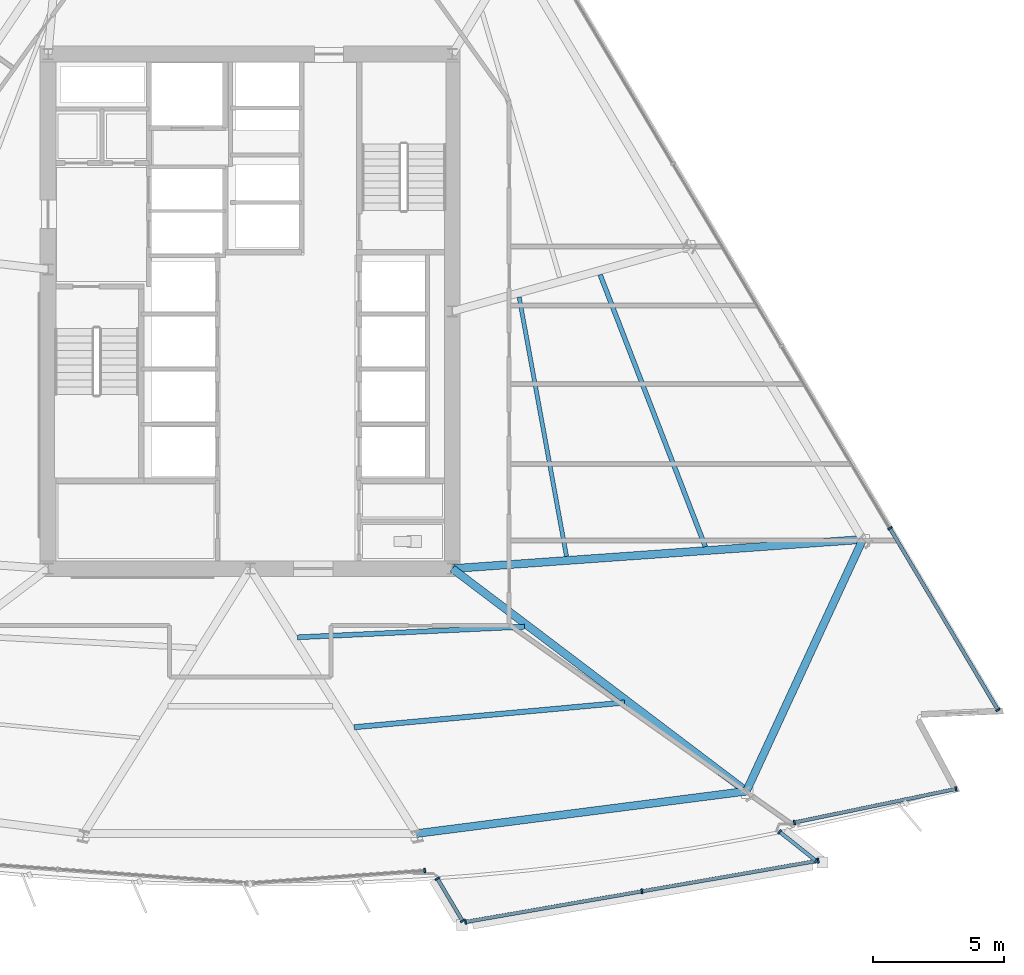
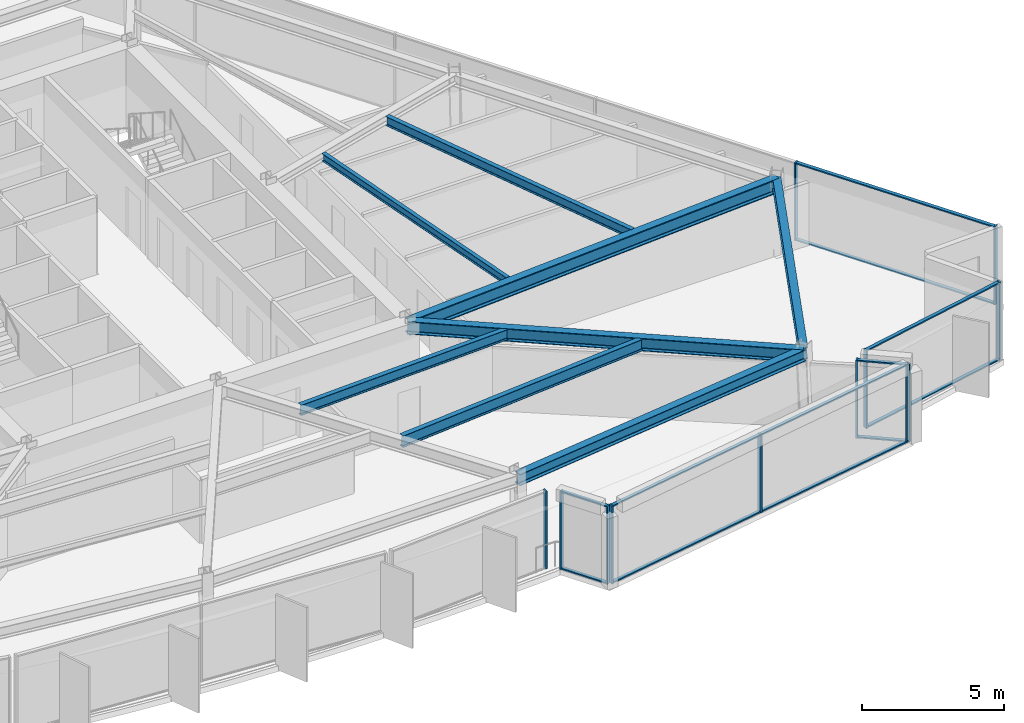
# One storey, part 4 of 15: 24 members, 8 beams, 6 elements without a shape of their own.
"""IFC4 building model written with IfcOpenShell, lengths in metres."""

import ifcopenshell
import ifcopenshell.guid

model = None  # the IFC model being written
_history = None  # IfcOwnerHistory: only IFC2X3 demands one
_inside = {}  # id of a spatial element -> (the spatial element, [elements in it])
_under = {}  # id of a project, library or spatial element -> (it, [spatial elements below it])
_declared = {}  # id of a project -> (the project, [libraries it declares])
_typed = {}  # id of a type object -> (the type object, [elements of that type])
_made_of = {}  # id of a material, layer set ... -> (it, [elements and type objects made of it])


def new_model(schema):
    """Start an empty IFC model of exactly this schema.

    Asked for "IFC4X3", IfcOpenShell would pick the latest addendum, in which some entities
    have other attributes; the version numbers below select the first issue.
    IFC2X3 requires an IfcOwnerHistory on every rooted entity: one is made here for all.
    """
    global model, _history
    if schema == "IFC4X3":
        model = ifcopenshell.file(schema_version=(4, 3, 0, 0))
    else:
        model = ifcopenshell.file(schema=schema)
    _inside.clear()
    _under.clear()
    _declared.clear()
    _typed.clear()
    _made_of.clear()
    _history = None
    if model.schema == "IFC2X3":
        org = make("IfcOrganization", Name="unknown")
        user = make(
            "IfcPersonAndOrganization",
            ThePerson=make("IfcPerson", FamilyName="unknown"),
            TheOrganization=org,
        )
        app = make(
            "IfcApplication",
            ApplicationDeveloper=org,
            Version="unknown",
            ApplicationFullName="unknown",
            ApplicationIdentifier="unknown",
        )
        _history = make(
            "IfcOwnerHistory",
            OwningUser=user,
            OwningApplication=app,
            ChangeAction="ADDED",
            CreationDate=0,
        )
    return model


def make(cls, **values):
    """One entity of the class cls with the attributes given. An attribute that is None is left unset."""
    return model.create_entity(
        cls, **{name: value for name, value in values.items() if value is not None}
    )


def rooted(cls, **values):
    """An entity with a GlobalId (a new one), such as an element, a storey or a relation."""
    return make(cls, GlobalId=ifcopenshell.guid.new(), OwnerHistory=_history, **values)


def si_unit(unit_type, name, prefix=None):
    """IfcSIUnit, for example si_unit("LENGTHUNIT", "METRE", prefix="MILLI")."""
    return make("IfcSIUnit", UnitType=unit_type, Prefix=prefix, Name=name)


def assignment(units):
    """IfcUnitAssignment: the units of a project."""
    return None if units is None else make("IfcUnitAssignment", Units=units)


def point(xyz):
    """IfcCartesianPoint."""
    return None if xyz is None else make("IfcCartesianPoint", Coordinates=xyz)


def direction(xyz):
    """IfcDirection."""
    return None if xyz is None else make("IfcDirection", DirectionRatios=xyz)


def frame(location, z_axis=None, x_axis=None):
    """IfcAxis2Placement3D, a coordinate frame: its origin and axes. An axis left out is left unset."""
    return make(
        "IfcAxis2Placement3D",
        Location=point(location),
        Axis=direction(z_axis),
        RefDirection=direction(x_axis),
    )


def frame_2d(location, x_axis=None):
    """IfcAxis2Placement2D, a coordinate frame in the plane: its origin and x axis."""
    return make(
        "IfcAxis2Placement2D", Location=point(location), RefDirection=direction(x_axis)
    )


def origin():
    """The frame at (0, 0, 0) with its axes left unset."""
    return frame((0.0, 0.0, 0.0))


def origin_2d():
    """The frame at (0, 0) in the plane with its x axis left unset."""
    return frame_2d((0.0, 0.0))


def place(relative_to, where):
    """IfcLocalPlacement: puts the frame where relative to a parent placement (None: the world)."""
    return make(
        "IfcLocalPlacement", PlacementRelTo=relative_to, RelativePlacement=where
    )


def context(
    kind, dimensions, precision=None, world=None, true_north=None, identifier=None
):
    """IfcGeometricRepresentationContext, for example the 3D "Model" context."""
    return make(
        "IfcGeometricRepresentationContext",
        ContextIdentifier=identifier,
        ContextType=kind,
        CoordinateSpaceDimension=dimensions,
        Precision=precision,
        WorldCoordinateSystem=world,
        TrueNorth=true_north,
    )


def subcontext(parent, identifier, kind, view, scale=None):
    """IfcGeometricRepresentationSubContext, for example "Body" below "Model"."""
    return make(
        "IfcGeometricRepresentationSubContext",
        ContextIdentifier=identifier,
        ContextType=kind,
        ParentContext=parent,
        TargetScale=scale,
        TargetView=view,
    )


def project(units=None, contexts=None):
    """IfcProject with its units and contexts."""
    return rooted(
        "IfcProject",
        Name="project",
        RepresentationContexts=contexts,
        UnitsInContext=assignment(units),
    )


def spatial(cls, under=None, at=None, **own):
    """A site, building, storey or space (cls), placed at a placement, below another one or the project."""
    s = rooted(cls, ObjectPlacement=at, **own)
    if under is not None:
        _under.setdefault(under.id(), (under, []))[1].append(s)
    return s


def profile(cls, at=None, kind="AREA", **sizes):
    """A parametric profile (cls). Its sizes go by their IFC names, for example OverallWidth=200.0."""
    return make(cls, ProfileType=kind, Position=at, **sizes)


def rectangle(**sizes):
    """IfcRectangleProfileDef."""
    return profile("IfcRectangleProfileDef", **sizes)


def i_section(**sizes):
    """IfcIShapeProfileDef."""
    return profile("IfcIShapeProfileDef", **sizes)


def extrude(swept, where, along, depth):
    """IfcExtrudedAreaSolid: the profile swept, set in the frame where, extruded along a direction by depth."""
    return make(
        "IfcExtrudedAreaSolid",
        SweptArea=swept,
        Position=where,
        ExtrudedDirection=direction(along),
        Depth=depth,
    )


def shape(context_of_items, identifier, shape_type, items):
    """IfcShapeRepresentation: the items that make up one representation, for example the "Body"."""
    return make(
        "IfcShapeRepresentation",
        ContextOfItems=context_of_items,
        RepresentationIdentifier=identifier,
        RepresentationType=shape_type,
        Items=items,
    )


def material(Name=None, Category=None):
    """IfcMaterial."""
    return make("IfcMaterial", Name=Name, Category=Category)


def material_profile(
    of_material, cross_section, Name=None, Category=None, Priority=None
):
    """IfcMaterialProfile: a cross section and its material."""
    return make(
        "IfcMaterialProfile",
        Name=Name,
        Material=of_material,
        Profile=cross_section,
        Priority=Priority,
        Category=Category,
    )


def profile_set(profiles, Name=None, composite=None):
    """IfcMaterialProfileSet."""
    return make(
        "IfcMaterialProfileSet",
        Name=Name,
        MaterialProfiles=profiles,
        CompositeProfile=composite,
    )


def made_of(thing, what):
    """Note that an element or type object is made of a material, layer set ...; save() writes the relation."""
    if what is not None:
        _made_of.setdefault(what.id(), (what, []))[1].append(thing)
    return thing


def type_object(cls, material=None, **own):
    """A type object (cls), such as IfcWallType, which elements share."""
    return made_of(rooted(cls, **own), material)


def element(
    cls,
    number,
    at=None,
    inside=None,
    cuts=None,
    type_object=None,
    material=None,
    context=None,
    identifier="Body",
    shape_type=None,
    held_by="IfcProductDefinitionShape",
    body=None,
    shapes=None,
    **own,
):
    """One element of the class cls, such as IfcWall. Its Tag is "e" and its number.

    at: its placement. inside: the storey or other place that contains it. cuts: it is an
    opening in that element (IfcRelVoidsElement). A single representation is given by context,
    identifier, shape_type and body (its items); several are given by shapes. held_by: the class
    of the entity that holds the representations. save() writes the other relations.
    """
    e = rooted(cls, Tag="e%d" % number, ObjectPlacement=at, **own)
    if body is not None:
        shapes = [shape(context, identifier, shape_type, body)]
    if shapes is not None:
        e.Representation = make(held_by, Representations=shapes)
    if inside is not None:
        _inside.setdefault(inside.id(), (inside, []))[1].append(e)
    if cuts is not None:
        rooted(
            "IfcRelVoidsElement", RelatingBuildingElement=cuts, RelatedOpeningElement=e
        )
    if type_object is not None:
        _typed.setdefault(type_object.id(), (type_object, []))[1].append(e)
    return made_of(e, material)


def aggregate(whole, parts):
    """IfcRelAggregates: a whole, such as a stair, and the parts it consists of."""
    return rooted("IfcRelAggregates", RelatingObject=whole, RelatedObjects=parts)


def save(model, path):
    """Write the relations noted so far, then the file.

    IfcRelAggregates (storeys below a building ...), IfcRelContainedInSpatialStructure (elements
    in a storey), IfcRelDefinesByType, IfcRelAssociatesMaterial and IfcRelDeclares: one each for
    every whole, place, type object, material and project.
    """
    for whole, parts in _under.values():
        aggregate(whole, parts)
    for where, things in _inside.values():
        rooted(
            "IfcRelContainedInSpatialStructure",
            RelatedElements=things,
            RelatingStructure=where,
        )
    for kind, things in _typed.values():
        rooted("IfcRelDefinesByType", RelatedObjects=things, RelatingType=kind)
    for what, things in _made_of.values():
        rooted("IfcRelAssociatesMaterial", RelatedObjects=things, RelatingMaterial=what)
    for by, libraries in _declared.values():
        rooted("IfcRelDeclares", RelatingContext=by, RelatedDefinitions=libraries)
    model.write(path)


model = new_model("IFC4")

# Units and contexts
model_context = context("Model", 3, precision=1e-05, world=origin(), true_north=direction((0.0, 1.0)))
body_context = subcontext(model_context, "Body", "Model", "MODEL_VIEW")
ifc_project = project(units=[si_unit("LENGTHUNIT", "METRE"), si_unit("AREAUNIT", "SQUARE_METRE"), si_unit("VOLUMEUNIT", "CUBIC_METRE"), si_unit("PLANEANGLEUNIT", "RADIAN"), si_unit("MASSUNIT", "GRAM", prefix="KILO")], contexts=[model_context])

# Site, building, storey
site_placement = place(None, origin())
site = spatial("IfcSite", under=ifc_project, at=site_placement, CompositionType="ELEMENT")
building_placement = place(site_placement, origin())
building = spatial("IfcBuilding", under=site, at=building_placement, Name="Savorim Split Tower", CompositionType="ELEMENT")
storey_placement = place(building_placement, frame((0.0, 0.0, 96.89990234375)))
storey = spatial("IfcBuildingStorey", under=building, at=storey_placement, Name="L25", CompositionType="ELEMENT", Elevation=96.89990234375)

# Beams
ifc_material_1 = material(Name="Steel S355", Category="steel")
ifc_material_profile_1 = material_profile(ifc_material_1, i_section(OverallWidth=0.159912109375, OverallDepth=0.330078125, WebThickness=0.007568359375, FlangeThickness=0.011474609375, FilletRadius=0.01806640625, at=origin_2d()), Name="IPE 330")
ifc_profile_set_1 = profile_set([ifc_material_profile_1], Name="Steel S355")
beam_type_1 = type_object("IfcBeamType", Name="BM-JST-IPE330", PredefinedType="JOIST", material=ifc_profile_set_1)
beam_1_placement = place(storey_placement, frame((12.048583984375, -8.931396484375, 3.18505859375), z_axis=(-0.179726806634, 0.983716562317, 0.0), x_axis=(-0.983716562317, -0.179726806634, 0.0)))
element("IfcBeam", 1, at=beam_1_placement, inside=storey, type_object=beam_type_1, Name="L25 Secondary Floor Joist JS-08", PredefinedType="JOIST", context=body_context, shape_type="SweptSolid", body=[
    extrude(i_section(OverallWidth=0.159912109375, OverallDepth=0.330078125, WebThickness=0.007568359375, FlangeThickness=0.011474609375, FilletRadius=0.01806640625, at=origin_2d()), origin(), (0.0, 0.0, 1.0), 10.034423828125),
])
ifc_material_profile_2 = material_profile(ifc_material_1, i_section(OverallWidth=0.179931640625, OverallDepth=0.39990234375, WebThickness=0.008544921875, FlangeThickness=0.013427734375, FilletRadius=0.02099609375, at=origin_2d()), Name="IPE 400")
ifc_profile_set_2 = profile_set([ifc_material_profile_2], Name="Steel S355")
beam_type_2 = type_object("IfcBeamType", Name="BM-JST-IPE400", PredefinedType="JOIST", material=ifc_profile_set_2)
beam_2_placement = place(storey_placement, frame((17.33544921875, -8.56201171875, 3.150146484375), z_axis=(-0.360740572241, 0.932666199419, 0.0), x_axis=(-0.932666199419, -0.360740572241, 0.0)))
element("IfcBeam", 2, at=beam_2_placement, inside=storey, type_object=beam_type_2, Name="L25 Secondary Floor Joist JS-06", PredefinedType="JOIST", context=body_context, shape_type="SweptSolid", body=[
    extrude(i_section(OverallWidth=0.179931640625, OverallDepth=0.39990234375, WebThickness=0.008544921875, FlangeThickness=0.013427734375, FilletRadius=0.02099609375, at=origin_2d()), origin(), (0.0, 0.0, 1.0), 11.103759765625),
])
ifc_material_profile_3 = material_profile(ifc_material_1, i_section(OverallWidth=0.18994140625, OverallDepth=0.449951171875, WebThickness=0.009521484375, FlangeThickness=0.0146484375, FilletRadius=0.02099609375, at=origin_2d()), Name="IPE 450")
ifc_profile_set_3 = profile_set([ifc_material_profile_3], Name="Steel S355")
beam_type_3 = type_object("IfcBeamType", Name="BM-JST-IPE450", PredefinedType="JOIST", material=ifc_profile_set_3)
beam_3_placement = place(storey_placement, frame((1.806640625, -12.016357421875, 3.125), z_axis=(0.998906984933, 0.046742223434, 0.0), x_axis=(-0.046742223434, 0.998906984933, 0.0)))
element("IfcBeam", 3, at=beam_3_placement, inside=storey, type_object=beam_type_3, Name="L25 Secondary Floor Joist JS-05", PredefinedType="JOIST", context=body_context, shape_type="SweptSolid", body=[
    extrude(i_section(OverallWidth=0.18994140625, OverallDepth=0.449951171875, WebThickness=0.009521484375, FlangeThickness=0.0146484375, FilletRadius=0.02099609375, at=origin_2d()), origin(), (0.0, 0.0, 1.0), 8.65478515625),
])
ifc_material_profile_4 = material_profile(ifc_material_1, i_section(OverallWidth=0.199951171875, OverallDepth=0.5, WebThickness=0.01025390625, FlangeThickness=0.01611328125, FilletRadius=0.02099609375, at=origin_2d()), Name="IPE 500")
ifc_profile_set_4 = profile_set([ifc_material_profile_4], Name="Steel S355")
beam_type_4 = type_object("IfcBeamType", Name="BM-JST-IPE500", PredefinedType="JOIST", material=ifc_profile_set_4)
beam_4_placement = place(storey_placement, frame((3.959716796875, -15.440673828125, 3.10009765625), z_axis=(0.995870926843, 0.090780488366, 0.0), x_axis=(-0.090780488366, 0.995870926843, 0.0)))
element("IfcBeam", 4, at=beam_4_placement, inside=storey, type_object=beam_type_4, Name="L25 Secondary Floor Joist JS-04", PredefinedType="JOIST", context=body_context, shape_type="SweptSolid", body=[
    extrude(i_section(OverallWidth=0.199951171875, OverallDepth=0.5, WebThickness=0.01025390625, FlangeThickness=0.01611328125, FilletRadius=0.02099609375, at=origin_2d()), origin(), (0.0, 0.0, 1.0), 10.34326171875),
])
ifc_material_profile_5 = material_profile(ifc_material_1, i_section(OverallWidth=0.300048828125, OverallDepth=0.550048828125, WebThickness=0.014892578125, FlangeThickness=0.029052734375, FilletRadius=0.027099609375, at=origin_2d()), Name="HEB 550")
ifc_profile_set_5 = profile_set([ifc_material_profile_5], Name="Steel S355")
beam_type_5 = type_object("IfcBeamType", Name="BM-PRI-HEB550", PredefinedType="BEAM", material=ifc_profile_set_5)
beam_5_placement = place(storey_placement, frame((18.8994140625, -17.878662109375, 3.0751953125), z_axis=(-0.797286798606, 0.603600663327, 0.0), x_axis=(-0.603600663327, -0.797286798606, 0.0)))
element("IfcBeam", 5, at=beam_5_placement, inside=storey, type_object=beam_type_5, Name="L25 Primary Floor Girder RG-04", PredefinedType="BEAM", context=body_context, shape_type="SweptSolid", body=[
    extrude(i_section(OverallWidth=0.300048828125, OverallDepth=0.550048828125, WebThickness=0.014892578125, FlangeThickness=0.029052734375, FilletRadius=0.027099609375, at=origin_2d()), origin(), (0.0, 0.0, 1.0), 14.046875),
])
ifc_material_2 = material(Name="Steel S460", Category="steel")
ifc_material_profile_6 = material_profile(ifc_material_2, i_section(OverallWidth=0.304931640625, OverallDepth=0.6201171875, WebThickness=0.02099609375, FlangeThickness=0.0400390625, FilletRadius=0.027099609375, at=origin_2d()), Name="HE 600 M")
ifc_profile_set_6 = profile_set([ifc_material_profile_6], Name="Steel S460")
beam_type_6 = type_object("IfcBeamType", Name="BM-PRI-HEM600", PredefinedType="BEAM", material=ifc_profile_set_6)
beam_6_placement = place(storey_placement, frame((23.333984375, -8.288818359375, 3.0400390625), z_axis=(-0.997484175184, -0.070889493281, 0.0), x_axis=(0.070889493281, -0.997484175184, 0.0)))
element("IfcBeam", 6, at=beam_6_placement, inside=storey, type_object=beam_type_6, Name="L25 Primary Floor Girder RG-05", PredefinedType="BEAM", context=body_context, shape_type="SweptSolid", body=[
    extrude(i_section(OverallWidth=0.304931640625, OverallDepth=0.6201171875, WebThickness=0.02099609375, FlangeThickness=0.0400390625, FilletRadius=0.027099609375, at=origin_2d()), origin(), (0.0, 0.0, 1.0), 15.673583984375),
])
ifc_material_profile_7 = material_profile(ifc_material_1, i_section(OverallWidth=0.300048828125, OverallDepth=0.489990234375, WebThickness=0.011962890625, FlangeThickness=0.02294921875, FilletRadius=0.027099609375, at=origin_2d()), Name="HEA 500")
ifc_profile_set_7 = profile_set([ifc_material_profile_7], Name="Steel S355")
beam_type_7 = type_object("IfcBeamType", Name="BM-SPN-HEA500", PredefinedType="SPANDREL", material=ifc_profile_set_7)
beam_7_placement = place(storey_placement, frame((6.333984375, -19.49169921875, 3.10498046875), z_axis=(0.991860896691, 0.127326201609, 0.0), x_axis=(-0.127326201609, 0.991860896691, 0.0)))
element("IfcBeam", 7, at=beam_7_placement, inside=storey, type_object=beam_type_7, Name="L25 Perimeter Spandrel Beam 3", PredefinedType="SPANDREL", context=body_context, shape_type="SweptSolid", body=[
    extrude(i_section(OverallWidth=0.300048828125, OverallDepth=0.489990234375, WebThickness=0.011962890625, FlangeThickness=0.02294921875, FilletRadius=0.027099609375, at=origin_2d()), origin(), (0.0, 0.0, 1.0), 12.66845703125),
])
beam_8_placement = place(storey_placement, frame((18.8994140625, -17.878662109375, 3.10498046875), z_axis=(0.419720399142, 0.907653450687, 0.0), x_axis=(-0.907653450687, 0.419720399142, 0.0)))
element("IfcBeam", 8, at=beam_8_placement, inside=storey, type_object=beam_type_7, Name="L25 Perimeter Spandrel Beam 4", PredefinedType="SPANDREL", context=body_context, shape_type="SweptSolid", body=[
    extrude(i_section(OverallWidth=0.300048828125, OverallDepth=0.489990234375, WebThickness=0.011962890625, FlangeThickness=0.02294921875, FilletRadius=0.027099609375, at=origin_2d()), origin(), (0.0, 0.0, 1.0), 10.5654296875),
])

# Curtain wall, member
ifc_material_3 = material(Name="Dark Ceramic-Fritted Insulated Glass", Category="glass")
curtain_wall_type_1 = type_object("IfcCurtainWallType", Name="CW-TWR-FRIT-A", PredefinedType="NOTDEFINED", material=ifc_material_3)
curtain_wall_1_placement = place(storey_placement, origin())
curtain_wall_1 = element("IfcCurtainWall", 9, at=curtain_wall_1_placement, inside=storey, type_object=curtain_wall_type_1, Name="L25 Curtain Wall CW-L25-SF3A", PredefinedType="NOTDEFINED")
ifc_material_4 = material(Name="Charcoal Anodised Aluminium", Category="aluminium")
ifc_material_profile_8 = material_profile(ifc_material_4, rectangle(XDim=0.179931640625, YDim=0.06494140625, at=origin_2d()), Name="ALU-M 180x65")
ifc_profile_set_8 = profile_set([ifc_material_profile_8], Name="Charcoal Anodised Aluminium")
member_type_1 = type_object("IfcMemberType", Name="CWM-180x65", PredefinedType="MULLION", material=ifc_profile_set_8)
member_1_placement = place(storey_placement, frame((6.648193359375, -20.903564453125, 0.0), z_axis=(0.0, 0.0, 1.0), x_axis=(-0.071568692624, 0.997435673232, 0.0)))
member_1 = element("IfcMember", 10, at=member_1_placement, type_object=member_type_1, Name="CW-02 mullion 2", PredefinedType="MULLION", context=body_context, shape_type="SweptSolid", body=[
    extrude(rectangle(XDim=0.179931640625, YDim=0.06494140625, at=origin_2d()), origin(), (0.0, 0.0, 1.0), 3.35009765625),
])
aggregate(curtain_wall_1, [member_1])

# Curtain wall, members
curtain_wall_2_placement = place(storey_placement, origin())
curtain_wall_2 = element("IfcCurtainWall", 11, at=curtain_wall_2_placement, inside=storey, type_object=curtain_wall_type_1, Name="L25 Curtain Wall CW-L25-SF4A", PredefinedType="NOTDEFINED")
member_2_placement = place(storey_placement, frame((20.728515625, -19.06982421875, 0.0), z_axis=(0.0, 0.0, 1.0), x_axis=(-0.20321845077, 0.979133423629, 0.0)))
member_2 = element("IfcMember", 12, at=member_2_placement, type_object=member_type_1, Name="CW-02 mullion 1", PredefinedType="MULLION", context=body_context, shape_type="SweptSolid", body=[
    extrude(rectangle(XDim=0.179931640625, YDim=0.06494140625, at=origin_2d()), origin(), (0.0, 0.0, 1.0), 3.35009765625),
])
member_3_placement = place(storey_placement, frame((26.882568359375, -17.792724609375, 0.0), z_axis=(0.0, 0.0, 1.0), x_axis=(-0.20321845077, 0.979133423629, 0.0)))
member_3 = element("IfcMember", 13, at=member_3_placement, type_object=member_type_1, Name="CW-02 mullion 2", PredefinedType="MULLION", context=body_context, shape_type="SweptSolid", body=[
    extrude(rectangle(XDim=0.179931640625, YDim=0.06494140625, at=origin_2d()), origin(), (0.0, 0.0, 1.0), 3.35009765625),
])

curtain_wall_type_2 = type_object("IfcCurtainWallType", Name="CW-BAY-LOUNGE", PredefinedType="NOTDEFINED", material=ifc_material_3)
curtain_wall_3_placement = place(storey_placement, origin())
curtain_wall_3 = element("IfcCurtainWall", 14, at=curtain_wall_3_placement, inside=storey, type_object=curtain_wall_type_2, Name="L25 Curtain Wall CW-L25-BAYF", PredefinedType="NOTDEFINED")
member_4_placement = place(storey_placement, frame((8.201904296875, -22.85791015625, 0.0), z_axis=(0.0, 0.0, 1.0), x_axis=(-0.171191443463, 0.985237783322, 0.0)))
member_4 = element("IfcMember", 15, at=member_4_placement, type_object=member_type_1, Name="CW-04 mullion 1", PredefinedType="MULLION", context=body_context, shape_type="SweptSolid", body=[
    extrude(rectangle(XDim=0.179931640625, YDim=0.06494140625, at=origin_2d()), origin(), (0.0, 0.0, 1.0), 3.35009765625),
])
member_5_placement = place(storey_placement, frame((14.91796875, -21.69091796875, 0.0), z_axis=(0.0, 0.0, 1.0), x_axis=(-0.171191443463, 0.985237783322, 0.0)))
member_5 = element("IfcMember", 16, at=member_5_placement, type_object=member_type_1, Name="CW-04 mullion 2", PredefinedType="MULLION", context=body_context, shape_type="SweptSolid", body=[
    extrude(rectangle(XDim=0.179931640625, YDim=0.06494140625, at=origin_2d()), origin(), (0.0, 0.0, 1.0), 3.35009765625),
])
member_6_placement = place(storey_placement, frame((21.6337890625, -20.524169921875, 0.0), z_axis=(0.0, 0.0, 1.0), x_axis=(-0.171191443463, 0.985237783322, 0.0)))
member_6 = element("IfcMember", 17, at=member_6_placement, type_object=member_type_1, Name="CW-04 mullion 3", PredefinedType="MULLION", context=body_context, shape_type="SweptSolid", body=[
    extrude(rectangle(XDim=0.179931640625, YDim=0.06494140625, at=origin_2d()), origin(), (0.0, 0.0, 1.0), 3.35009765625),
])

curtain_wall_4_placement = place(storey_placement, origin())
curtain_wall_4 = element("IfcCurtainWall", 18, at=curtain_wall_4_placement, inside=storey, type_object=curtain_wall_type_2, Name="L25 Curtain Wall CW-L25-BAYW", PredefinedType="NOTDEFINED")
member_7_placement = place(storey_placement, frame((7.12939453125, -21.20556640625, 0.0), z_axis=(0.0, 0.0, 1.0), x_axis=(0.859722483867, 0.510761442098, 0.0)))
member_7 = element("IfcMember", 19, at=member_7_placement, type_object=member_type_1, Name="CW-04 mullion 1", PredefinedType="MULLION", context=body_context, shape_type="SweptSolid", body=[
    extrude(rectangle(XDim=0.179931640625, YDim=0.06494140625, at=origin_2d()), origin(), (0.0, 0.0, 1.0), 3.35009765625),
])
member_8_placement = place(storey_placement, frame((8.087158203125, -22.817626953125, 0.0), z_axis=(0.0, 0.0, 1.0), x_axis=(0.859722483867, 0.510761442098, 0.0)))
member_8 = element("IfcMember", 20, at=member_8_placement, type_object=member_type_1, Name="CW-04 mullion 2", PredefinedType="MULLION", context=body_context, shape_type="SweptSolid", body=[
    extrude(rectangle(XDim=0.179931640625, YDim=0.06494140625, at=origin_2d()), origin(), (0.0, 0.0, 1.0), 3.35009765625),
])

curtain_wall_5_placement = place(storey_placement, origin())
curtain_wall_5 = element("IfcCurtainWall", 21, at=curtain_wall_5_placement, inside=storey, type_object=curtain_wall_type_2, Name="L25 Curtain Wall CW-L25-BAYE", PredefinedType="NOTDEFINED")
member_9_placement = place(storey_placement, frame((21.552978515625, -20.527099609375, 0.0), z_axis=(0.0, 0.0, 1.0), x_axis=(-0.621806452547, -0.783170949136, 0.0)))
member_9 = element("IfcMember", 22, at=member_9_placement, type_object=member_type_1, Name="CW-04 mullion 1", PredefinedType="MULLION", context=body_context, shape_type="SweptSolid", body=[
    extrude(rectangle(XDim=0.179931640625, YDim=0.06494140625, at=origin_2d()), origin(), (0.0, 0.0, 1.0), 3.35009765625),
])
member_10_placement = place(storey_placement, frame((20.166748046875, -19.426513671875, 0.0), z_axis=(0.0, 0.0, 1.0), x_axis=(-0.621806452547, -0.783170949136, 0.0)))
member_10 = element("IfcMember", 23, at=member_10_placement, type_object=member_type_1, Name="CW-04 mullion 2", PredefinedType="MULLION", context=body_context, shape_type="SweptSolid", body=[
    extrude(rectangle(XDim=0.179931640625, YDim=0.06494140625, at=origin_2d()), origin(), (0.0, 0.0, 1.0), 3.35009765625),
])

curtain_wall_6_placement = place(storey_placement, origin())
curtain_wall_6 = element("IfcCurtainWall", 24, at=curtain_wall_6_placement, inside=storey, type_object=curtain_wall_type_1, Name="L25 Curtain Wall CW-L25-EAST", PredefinedType="NOTDEFINED")
member_11_placement = place(storey_placement, frame((28.480224609375, -14.78173828125, 0.0), z_axis=(0.0, 0.0, 1.0), x_axis=(-0.859524537852, -0.511094481315, 0.0)))
member_11 = element("IfcMember", 25, at=member_11_placement, type_object=member_type_1, Name="CW-02 mullion 1", PredefinedType="MULLION", context=body_context, shape_type="SweptSolid", body=[
    extrude(rectangle(XDim=0.179931640625, YDim=0.06494140625, at=origin_2d()), origin(), (0.0, 0.0, 1.0), 3.35009765625),
])
member_12_placement = place(storey_placement, frame((24.36669921875, -7.864013671875, 0.0), z_axis=(0.0, 0.0, 1.0), x_axis=(-0.859524537852, -0.511094481315, 0.0)))
member_12 = element("IfcMember", 26, at=member_12_placement, type_object=member_type_1, Name="CW-02 mullion 2", PredefinedType="MULLION", context=body_context, shape_type="SweptSolid", body=[
    extrude(rectangle(XDim=0.179931640625, YDim=0.06494140625, at=origin_2d()), origin(), (0.0, 0.0, 1.0), 3.35009765625),
])

# Member
ifc_material_profile_9 = material_profile(ifc_material_4, rectangle(XDim=0.139892578125, YDim=0.054931640625, at=origin_2d()), Name="ALU-T 140x55")
ifc_profile_set_9 = profile_set([ifc_material_profile_9], Name="Charcoal Anodised Aluminium")
member_type_2 = type_object("IfcMemberType", Name="CWT-140x55", PredefinedType="USERDEFINED", material=ifc_profile_set_9)
member_13_placement = place(storey_placement, frame((20.76025390625, -19.063232421875, 0.027587890625), z_axis=(0.979139141745, 0.203190898177, 0.0), x_axis=(-0.203190898177, 0.979139141745, 0.0)))
member_13 = element("IfcMember", 27, at=member_13_placement, type_object=member_type_2, Name="CW-02 transom 1.1", ObjectType="TRANSOM", PredefinedType="USERDEFINED", context=body_context, shape_type="SweptSolid", body=[
    extrude(rectangle(XDim=0.139892578125, YDim=0.054931640625, at=origin_2d()), origin(), (0.0, 0.0, 1.0), 6.220458984375),
])

member_14_placement = place(storey_placement, frame((20.76025390625, -19.063232421875, 3.322509765625), z_axis=(0.979139141745, 0.203190898177, 0.0), x_axis=(-0.203190898177, 0.979139141745, 0.0)))
member_14 = element("IfcMember", 28, at=member_14_placement, type_object=member_type_2, Name="CW-02 transom 1.2", ObjectType="TRANSOM", PredefinedType="USERDEFINED", context=body_context, shape_type="SweptSolid", body=[
    extrude(rectangle(XDim=0.139892578125, YDim=0.054931640625, at=origin_2d()), origin(), (0.0, 0.0, 1.0), 6.220458984375),
])

aggregate(curtain_wall_2, [member_2, member_3, member_13, member_14])

member_15_placement = place(storey_placement, frame((8.234130859375, -22.852294921875, 0.027587890625), z_axis=(0.985238813406, 0.171185515036, 0.0), x_axis=(-0.171185515036, 0.985238813406, 0.0)))
member_15 = element("IfcMember", 29, at=member_15_placement, type_object=member_type_2, Name="CW-04 transom 1.1", ObjectType="TRANSOM", PredefinedType="USERDEFINED", context=body_context, shape_type="SweptSolid", body=[
    extrude(rectangle(XDim=0.139892578125, YDim=0.054931640625, at=origin_2d()), origin(), (0.0, 0.0, 1.0), 6.75146484375),
])

member_16_placement = place(storey_placement, frame((8.234130859375, -22.852294921875, 3.322509765625), z_axis=(0.985238813406, 0.171185515036, 0.0), x_axis=(-0.171185515036, 0.985238813406, 0.0)))
member_16 = element("IfcMember", 30, at=member_16_placement, type_object=member_type_2, Name="CW-04 transom 1.2", ObjectType="TRANSOM", PredefinedType="USERDEFINED", context=body_context, shape_type="SweptSolid", body=[
    extrude(rectangle(XDim=0.139892578125, YDim=0.054931640625, at=origin_2d()), origin(), (0.0, 0.0, 1.0), 6.75146484375),
])

member_17_placement = place(storey_placement, frame((14.949951171875, -21.685546875, 0.027587890625), z_axis=(0.985232713978, 0.171220615895, 0.0), x_axis=(-0.171220615895, 0.985232713978, 0.0)))
member_17 = element("IfcMember", 31, at=member_17_placement, type_object=member_type_2, Name="CW-04 transom 2.1", ObjectType="TRANSOM", PredefinedType="USERDEFINED", context=body_context, shape_type="SweptSolid", body=[
    extrude(rectangle(XDim=0.139892578125, YDim=0.054931640625, at=origin_2d()), origin(), (0.0, 0.0, 1.0), 6.75146484375),
])

member_18_placement = place(storey_placement, frame((14.949951171875, -21.685546875, 3.322509765625), z_axis=(0.985232713978, 0.171220615895, 0.0), x_axis=(-0.171220615895, 0.985232713978, 0.0)))
member_18 = element("IfcMember", 32, at=member_18_placement, type_object=member_type_2, Name="CW-04 transom 2.2", ObjectType="TRANSOM", PredefinedType="USERDEFINED", context=body_context, shape_type="SweptSolid", body=[
    extrude(rectangle(XDim=0.139892578125, YDim=0.054931640625, at=origin_2d()), origin(), (0.0, 0.0, 1.0), 6.75146484375),
])

aggregate(curtain_wall_3, [member_4, member_5, member_6, member_15, member_16, member_17, member_18])

member_19_placement = place(storey_placement, frame((7.14599609375, -21.233642578125, 0.027587890625), z_axis=(0.510781805749, -0.859710385488, 0.0), x_axis=(0.859710385488, 0.510781805749, 0.0)))
member_19 = element("IfcMember", 33, at=member_19_placement, type_object=member_type_2, Name="CW-04 transom 1.1", ObjectType="TRANSOM", PredefinedType="USERDEFINED", context=body_context, shape_type="SweptSolid", body=[
    extrude(rectangle(XDim=0.139892578125, YDim=0.054931640625, at=origin_2d()), origin(), (0.0, 0.0, 1.0), 1.81005859375),
])

member_20_placement = place(storey_placement, frame((7.14599609375, -21.233642578125, 3.322509765625), z_axis=(0.510781805749, -0.859710385488, 0.0), x_axis=(0.859710385488, 0.510781805749, 0.0)))
member_20 = element("IfcMember", 34, at=member_20_placement, type_object=member_type_2, Name="CW-04 transom 1.2", ObjectType="TRANSOM", PredefinedType="USERDEFINED", context=body_context, shape_type="SweptSolid", body=[
    extrude(rectangle(XDim=0.139892578125, YDim=0.054931640625, at=origin_2d()), origin(), (0.0, 0.0, 1.0), 1.81005859375),
])

aggregate(curtain_wall_4, [member_7, member_8, member_19, member_20])

member_21_placement = place(storey_placement, frame((21.527587890625, -20.5068359375, 0.027587890625), z_axis=(-0.783182634202, 0.621791734815, 0.0), x_axis=(-0.621791734815, -0.783182634202, 0.0)))
member_21 = element("IfcMember", 35, at=member_21_placement, type_object=member_type_2, Name="CW-04 transom 1.1", ObjectType="TRANSOM", PredefinedType="USERDEFINED", context=body_context, shape_type="SweptSolid", body=[
    extrude(rectangle(XDim=0.139892578125, YDim=0.054931640625, at=origin_2d()), origin(), (0.0, 0.0, 1.0), 1.704833984375),
])

member_22_placement = place(storey_placement, frame((21.527587890625, -20.5068359375, 3.322509765625), z_axis=(-0.783182634202, 0.621791734815, 0.0), x_axis=(-0.621791734815, -0.783182634202, 0.0)))
member_22 = element("IfcMember", 36, at=member_22_placement, type_object=member_type_2, Name="CW-04 transom 1.2", ObjectType="TRANSOM", PredefinedType="USERDEFINED", context=body_context, shape_type="SweptSolid", body=[
    extrude(rectangle(XDim=0.139892578125, YDim=0.054931640625, at=origin_2d()), origin(), (0.0, 0.0, 1.0), 1.704833984375),
])

aggregate(curtain_wall_5, [member_9, member_10, member_21, member_22])

member_23_placement = place(storey_placement, frame((28.463623046875, -14.753662109375, 0.027587890625), z_axis=(-0.511105313723, 0.859518096542, 0.0), x_axis=(-0.859518096542, -0.511105313723, 0.0)))
member_23 = element("IfcMember", 37, at=member_23_placement, type_object=member_type_2, Name="CW-02 transom 1.1", ObjectType="TRANSOM", PredefinedType="USERDEFINED", context=body_context, shape_type="SweptSolid", body=[
    extrude(rectangle(XDim=0.139892578125, YDim=0.054931640625, at=origin_2d()), origin(), (0.0, 0.0, 1.0), 7.9833984375),
])

member_24_placement = place(storey_placement, frame((28.463623046875, -14.753662109375, 3.322509765625), z_axis=(-0.511105313723, 0.859518096542, 0.0), x_axis=(-0.859518096542, -0.511105313723, 0.0)))
member_24 = element("IfcMember", 38, at=member_24_placement, type_object=member_type_2, Name="CW-02 transom 1.2", ObjectType="TRANSOM", PredefinedType="USERDEFINED", context=body_context, shape_type="SweptSolid", body=[
    extrude(rectangle(XDim=0.139892578125, YDim=0.054931640625, at=origin_2d()), origin(), (0.0, 0.0, 1.0), 7.9833984375),
])

aggregate(curtain_wall_6, [member_11, member_12, member_23, member_24])

save(model, "model.ifc")
